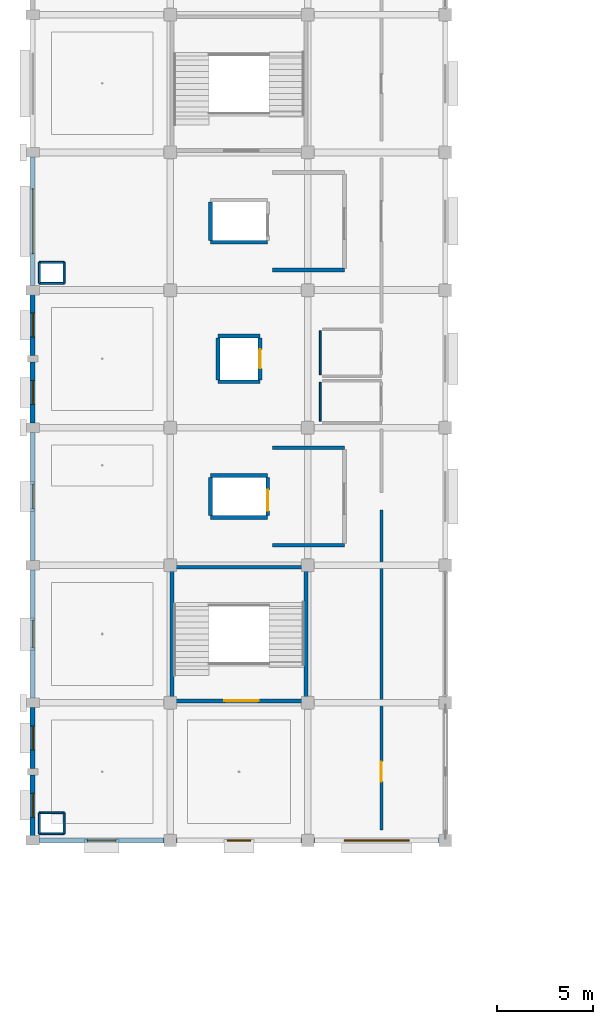
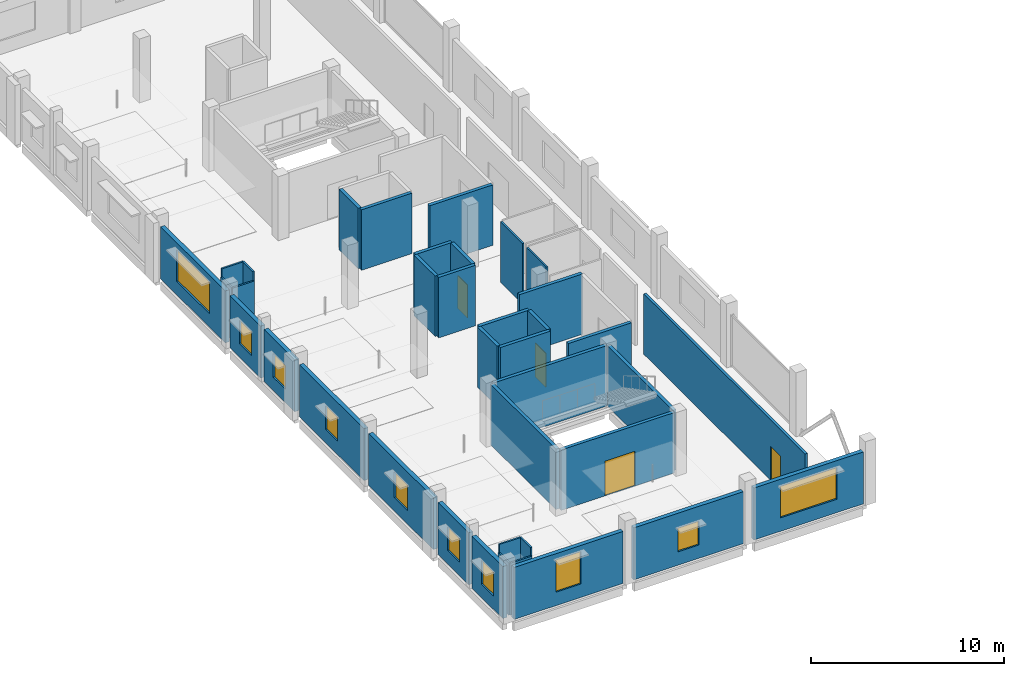
# One storey, part 39 of 59: 38 walls, 10 windows, 4 doors, 14 openings.
"""IFC4 building model written with IfcOpenShell, lengths in metres."""

from ifc_helpers import new_model, si_unit, direction, frame, frame_2d, origin, place, context, subcontext, project, spatial, rectangle, extrude, material, layer, layer_set, type_object, element, fill, save


model = new_model("IFC4")

# Units and contexts
model_context = context("Model", 3, precision=1e-05, world=origin(), true_north=direction((0.0, 1.0)))
body_context = subcontext(model_context, "Body", "Model", "MODEL_VIEW")
ifc_project = project(units=[si_unit("LENGTHUNIT", "METRE"), si_unit("AREAUNIT", "SQUARE_METRE"), si_unit("VOLUMEUNIT", "CUBIC_METRE"), si_unit("PLANEANGLEUNIT", "RADIAN"), si_unit("MASSUNIT", "GRAM", prefix="KILO")], contexts=[model_context])

# Site, building, storey
site_placement = place(None, origin())
site = spatial("IfcSite", under=ifc_project, at=site_placement, CompositionType="ELEMENT")
building_placement = place(site_placement, origin())
building = spatial("IfcBuilding", under=site, at=building_placement, Name="Kangsadwip Square Police Headquarters", CompositionType="ELEMENT")
storey_placement = place(building_placement, frame((0.0, 0.0, 21.60009765625)))
storey = spatial("IfcBuildingStorey", under=building, at=storey_placement, Name="L05", CompositionType="ELEMENT", Elevation=21.60009765625)

# Wall, opening, door
ifc_material_1 = material(Name="Autoclaved aerated concrete blockwork masonry", Category="masonry")
ifc_layer_1 = layer(ifc_material_1, 0.14990234375)
ifc_layer_set_1 = layer_set([ifc_layer_1], Name="Autoclaved aerated concrete blockwork masonry")
wall_type_1 = type_object("IfcWallType", Name="BlockPartition150", PredefinedType="PARTITIONING", material=ifc_layer_set_1)
wall_1_placement = place(storey_placement, frame((18.25, 36.550048828125, 0.0), z_axis=(0.0, 0.0, 1.0), x_axis=(0.0, 1.0, 0.0)))
wall_1 = element("IfcWall", 1, at=wall_1_placement, inside=storey, type_object=wall_type_1, Name="Interior Wall WI-L05-0892", PredefinedType="PARTITIONING", context=body_context, shape_type="SweptSolid", body=[
    extrude(rectangle(XDim=16.75, YDim=0.14990234375, at=frame_2d((8.375, 0.0))), origin(), (0.0, 0.0, 1.0), 3.829833984375),
])
opening_1_placement = place(wall_1_placement, frame((2.530029296875, 0.0, 0.0)))
opening_1 = element("IfcOpeningElement", 2, at=opening_1_placement, cuts=wall_1, Name="Opening ID-10A", PredefinedType="OPENING", context=body_context, shape_type="SweptSolid", body=[
    extrude(rectangle(XDim=1.050048828125, YDim=2.14990234375, at=frame_2d((0.52490234375, 1.074951171875))), frame((0.0, 0.0849609375, 0.0), z_axis=(0.0, -1.0, 0.0), x_axis=(1.0, 0.0, 0.0)), (0.0, 0.0, 1.0), 0.169921875),
])
ifc_material_2 = material(Name="Solid-core seasoned teak hardwood architectural door", Category="wood")
door_type_1 = type_object("IfcDoorType", Name="OfficeDoor1050x2150", OperationType="NOTDEFINED", PredefinedType="DOOR", material=ifc_material_2)
door_1_placement = place(opening_1_placement, origin())
door_1 = element("IfcDoor", 3, at=door_1_placement, inside=storey, type_object=door_type_1, Name="Interior Door ID-L05-0246", OperationType="SINGLE_SWING_LEFT", OverallHeight=2.14990234375, OverallWidth=1.050048828125, PredefinedType="DOOR", context=body_context, shape_type="SweptSolid", body=[
    extrude(rectangle(XDim=1.050048828125, YDim=2.14990234375, at=frame_2d((0.52490234375, 1.074951171875))), frame((0.0, 0.02490234375, 0.0), z_axis=(0.0, -1.0, 0.0), x_axis=(1.0, 0.0, 0.0)), (0.0, 0.0, 1.0), 0.050048828125),
])
fill(opening_1, door_1)

# Wall, opening, window
ifc_material_3 = material(Name="Glazed architectural terracotta masonry rainscreen", Category="masonry")
ifc_layer_2 = layer(ifc_material_3, 0.25)
ifc_layer_set_2 = layer_set([ifc_layer_2], Name="Glazed architectural terracotta masonry rainscreen")
wall_type_2 = type_object("IfcWallType", Name="ChicagoTerracottaWall250", PredefinedType="SOLIDWALL", material=ifc_layer_set_2)
wall_2_placement = place(storey_placement, frame((0.344970703125, 36.0, 0.0), z_axis=(0.0, 0.0, 1.0), x_axis=(1.0, 0.0, 0.0)))
wall_2 = element("IfcWall", 4, at=wall_2_placement, inside=storey, type_object=wall_type_2, Name="Exterior Wall WE-L05-482", PredefinedType="SOLIDWALL", context=body_context, shape_type="SweptSolid", body=[
    extrude(rectangle(XDim=6.534912109375, YDim=0.25, at=frame_2d((3.267578125, 0.0))), origin(), (0.0, 0.0, 1.0), 3.294921875),
])
opening_2_placement = place(wall_2_placement, frame((2.517578125, 0.0, 0.85009765625)))
opening_2 = element("IfcOpeningElement", 5, at=opening_2_placement, cuts=wall_2, Name="Opening WN-12", PredefinedType="OPENING", context=body_context, shape_type="SweptSolid", body=[
    extrude(rectangle(XDim=1.5, YDim=2.050048828125, at=frame_2d((0.75, 1.02490234375))), frame((0.0, 0.135009765625, 0.0), z_axis=(0.0, -1.0, 0.0), x_axis=(1.0, 0.0, 0.0)), (0.0, 0.0, 1.0), 0.27001953125),
])
ifc_material_4 = material(Name="Double-glazed solar-control low-E safety glass", Category="glass")
window_type_1 = type_object("IfcWindowType", Name="DirectorateTallWin1500x2050", PartitioningType="SINGLE_PANEL", PredefinedType="WINDOW", material=ifc_material_4)
window_1_placement = place(opening_2_placement, origin())
window_1 = element("IfcWindow", 6, at=window_1_placement, inside=storey, type_object=window_type_1, Name="Window WN-L05-0332", OverallHeight=2.050048828125, OverallWidth=1.5, PartitioningType="SINGLE_PANEL", PredefinedType="WINDOW", context=body_context, shape_type="SweptSolid", body=[
    extrude(rectangle(XDim=1.5, YDim=2.050048828125, at=frame_2d((0.75, 1.02490234375))), frame((0.0, 0.030029296875, 0.0), z_axis=(0.0, -1.0, 0.0), x_axis=(1.0, 0.0, 0.0)), (0.0, 0.0, 1.0), 0.06005859375),
])
fill(opening_2, window_1)

wall_3_placement = place(storey_placement, frame((7.52001953125, 36.0, 0.0), z_axis=(0.0, 0.0, 1.0), x_axis=(1.0, 0.0, 0.0)))
wall_3 = element("IfcWall", 7, at=wall_3_placement, inside=storey, type_object=wall_type_2, Name="Exterior Wall WE-L05-483", PredefinedType="SOLIDWALL", context=body_context, shape_type="SweptSolid", body=[
    extrude(rectangle(XDim=6.56005859375, YDim=0.25, at=frame_2d((3.280029296875, 0.0))), origin(), (0.0, 0.0, 1.0), 3.294921875),
])
opening_3_placement = place(wall_3_placement, frame((2.655029296875, 0.0, 0.85009765625)))
opening_3 = element("IfcOpeningElement", 8, at=opening_3_placement, cuts=wall_3, Name="Opening WN-14", PredefinedType="OPENING", context=body_context, shape_type="SweptSolid", body=[
    extrude(rectangle(XDim=1.25, YDim=1.5, at=frame_2d((0.625, 0.75))), frame((0.0, 0.135009765625, 0.0), z_axis=(0.0, -1.0, 0.0), x_axis=(1.0, 0.0, 0.0)), (0.0, 0.0, 1.0), 0.27001953125),
])
ifc_material_5 = material(Name="Double-glazed solar-control low-E safety glass", Category="glass")
window_type_2 = type_object("IfcWindowType", Name="OfficeCasementWin1250x1500", PartitioningType="SINGLE_PANEL", PredefinedType="WINDOW", material=ifc_material_5)
window_2_placement = place(opening_3_placement, origin())
window_2 = element("IfcWindow", 9, at=window_2_placement, inside=storey, type_object=window_type_2, Name="Window WN-L05-0333", OverallHeight=1.5, OverallWidth=1.25, PartitioningType="SINGLE_PANEL", PredefinedType="WINDOW", context=body_context, shape_type="SweptSolid", body=[
    extrude(rectangle(XDim=1.25, YDim=1.5, at=frame_2d((0.625, 0.75))), frame((0.0, 0.030029296875, 0.0), z_axis=(0.0, -1.0, 0.0), x_axis=(1.0, 0.0, 0.0)), (0.0, 0.0, 1.0), 0.06005859375),
])
fill(opening_3, window_2)

wall_4_placement = place(storey_placement, frame((14.719970703125, 36.0, 0.0), z_axis=(0.0, 0.0, 1.0), x_axis=(1.0, 0.0, 0.0)))
wall_4 = element("IfcWall", 10, at=wall_4_placement, inside=storey, type_object=wall_type_2, Name="Exterior Wall WE-L05-484", PredefinedType="SOLIDWALL", context=body_context, shape_type="SweptSolid", body=[
    extrude(rectangle(XDim=6.56005859375, YDim=0.25, at=frame_2d((3.280029296875, 0.0))), origin(), (0.0, 0.0, 1.0), 3.294921875),
])
opening_4_placement = place(wall_4_placement, frame((1.580078125, 0.0, 0.85009765625)))
opening_4 = element("IfcOpeningElement", 11, at=opening_4_placement, cuts=wall_4, Name="Opening WN-02", PredefinedType="OPENING", context=body_context, shape_type="SweptSolid", body=[
    extrude(rectangle(XDim=3.39990234375, YDim=2.0, at=frame_2d((1.699951171875, 1.0))), frame((0.0, 0.135009765625, 0.0), z_axis=(0.0, -1.0, 0.0), x_axis=(1.0, 0.0, 0.0)), (0.0, 0.0, 1.0), 0.27001953125),
])
ifc_material_6 = material(Name="Double-glazed solar-control low-E safety glass", Category="glass")
window_type_3 = type_object("IfcWindowType", Name="ChicagoTripartiteWin3400x2000", PartitioningType="TRIPLE_PANEL_HORIZONTAL", PredefinedType="WINDOW", material=ifc_material_6)
window_3_placement = place(opening_4_placement, origin())
window_3 = element("IfcWindow", 12, at=window_3_placement, inside=storey, type_object=window_type_3, Name="Window WN-L05-0334", OverallHeight=2.0, OverallWidth=3.39990234375, PartitioningType="SINGLE_PANEL", PredefinedType="WINDOW", context=body_context, shape_type="SweptSolid", body=[
    extrude(rectangle(XDim=3.39990234375, YDim=2.0, at=frame_2d((1.699951171875, 1.0))), frame((0.0, 0.030029296875, 0.0), z_axis=(0.0, -1.0, 0.0), x_axis=(1.0, 0.0, 0.0)), (0.0, 0.0, 1.0), 0.06005859375),
])
fill(opening_4, window_3)

wall_5_placement = place(storey_placement, frame((0.0, 36.2451171875, 0.0), z_axis=(0.0, 0.0, 1.0), x_axis=(0.0, 1.0, 0.0)))
wall_5 = element("IfcWall", 13, at=wall_5_placement, inside=storey, type_object=wall_type_2, Name="Exterior Wall WE-L05-491", PredefinedType="SOLIDWALL", context=body_context, shape_type="SweptSolid", body=[
    extrude(rectangle(XDim=3.184814453125, YDim=0.25, at=frame_2d((1.59228515625, 0.0))), origin(), (0.0, 0.0, 1.0), 3.294921875),
])
opening_5_placement = place(wall_5_placement, frame((0.967529296875, 0.0, 0.85009765625)))
opening_5 = element("IfcOpeningElement", 14, at=opening_5_placement, cuts=wall_5, Name="Opening WN-14", PredefinedType="OPENING", context=body_context, shape_type="SweptSolid", body=[
    extrude(rectangle(XDim=1.25, YDim=1.5, at=frame_2d((0.625, 0.75))), frame((0.0, 0.135009765625, 0.0), z_axis=(0.0, -1.0, 0.0), x_axis=(1.0, 0.0, 0.0)), (0.0, 0.0, 1.0), 0.27001953125),
])
window_4_placement = place(opening_5_placement, origin())
window_4 = element("IfcWindow", 15, at=window_4_placement, inside=storey, type_object=window_type_2, Name="Window WN-L05-0341", OverallHeight=1.5, OverallWidth=1.25, PartitioningType="SINGLE_PANEL", PredefinedType="WINDOW", context=body_context, shape_type="SweptSolid", body=[
    extrude(rectangle(XDim=1.25, YDim=1.5, at=frame_2d((0.625, 0.75))), frame((0.0, 0.030029296875, 0.0), z_axis=(0.0, -1.0, 0.0), x_axis=(1.0, 0.0, 0.0)), (0.0, 0.0, 1.0), 0.06005859375),
])
fill(opening_5, window_4)

wall_6_placement = place(storey_placement, frame((0.0, 39.77001953125, 0.0), z_axis=(0.0, 0.0, 1.0), x_axis=(0.0, 1.0, 0.0)))
wall_6 = element("IfcWall", 16, at=wall_6_placement, inside=storey, type_object=wall_type_2, Name="Exterior Wall WE-L05-492", PredefinedType="SOLIDWALL", context=body_context, shape_type="SweptSolid", body=[
    extrude(rectangle(XDim=3.18505859375, YDim=0.25, at=frame_2d((1.592529296875, 0.0))), origin(), (0.0, 0.0, 1.0), 3.294921875),
])
opening_6_placement = place(wall_6_placement, frame((0.967529296875, 0.0, 0.85009765625)))
opening_6 = element("IfcOpeningElement", 17, at=opening_6_placement, cuts=wall_6, Name="Opening WN-14", PredefinedType="OPENING", context=body_context, shape_type="SweptSolid", body=[
    extrude(rectangle(XDim=1.25, YDim=1.5, at=frame_2d((0.625, 0.75))), frame((0.0, 0.135009765625, 0.0), z_axis=(0.0, -1.0, 0.0), x_axis=(1.0, 0.0, 0.0)), (0.0, 0.0, 1.0), 0.27001953125),
])
window_5_placement = place(opening_6_placement, origin())
window_5 = element("IfcWindow", 18, at=window_5_placement, inside=storey, type_object=window_type_2, Name="Window WN-L05-0342", OverallHeight=1.5, OverallWidth=1.25, PartitioningType="SINGLE_PANEL", PredefinedType="WINDOW", context=body_context, shape_type="SweptSolid", body=[
    extrude(rectangle(XDim=1.25, YDim=1.5, at=frame_2d((0.625, 0.75))), frame((0.0, 0.030029296875, 0.0), z_axis=(0.0, -1.0, 0.0), x_axis=(1.0, 0.0, 0.0)), (0.0, 0.0, 1.0), 0.06005859375),
])
fill(opening_6, window_5)

wall_7_placement = place(storey_placement, frame((0.0, 43.445068359375, 0.0), z_axis=(0.0, 0.0, 1.0), x_axis=(0.0, 1.0, 0.0)))
wall_7 = element("IfcWall", 19, at=wall_7_placement, inside=storey, type_object=wall_type_2, Name="Exterior Wall WE-L05-493", PredefinedType="SOLIDWALL", context=body_context, shape_type="SweptSolid", body=[
    extrude(rectangle(XDim=6.7099609375, YDim=0.25, at=frame_2d((3.35498046875, 0.0))), origin(), (0.0, 0.0, 1.0), 3.294921875),
])
opening_7_placement = place(wall_7_placement, frame((2.655029296875, 0.0, 0.85009765625)))
opening_7 = element("IfcOpeningElement", 20, at=opening_7_placement, cuts=wall_7, Name="Opening WN-13", PredefinedType="OPENING", context=body_context, shape_type="SweptSolid", body=[
    extrude(rectangle(XDim=1.39990234375, YDim=1.60009765625, at=frame_2d((0.699951171875, 0.800048828125))), frame((0.0, 0.135009765625, 0.0), z_axis=(0.0, -1.0, 0.0), x_axis=(1.0, 0.0, 0.0)), (0.0, 0.0, 1.0), 0.27001953125),
])
ifc_material_7 = material(Name="Double-glazed solar-control low-E safety glass", Category="glass")
window_type_4 = type_object("IfcWindowType", Name="OfficeCasementWin1400x1600", PartitioningType="SINGLE_PANEL", PredefinedType="WINDOW", material=ifc_material_7)
window_6_placement = place(opening_7_placement, origin())
window_6 = element("IfcWindow", 21, at=window_6_placement, inside=storey, type_object=window_type_4, Name="Window WN-L05-0343", OverallHeight=1.60009765625, OverallWidth=1.39990234375, PartitioningType="SINGLE_PANEL", PredefinedType="WINDOW", context=body_context, shape_type="SweptSolid", body=[
    extrude(rectangle(XDim=1.39990234375, YDim=1.60009765625, at=frame_2d((0.699951171875, 0.800048828125))), frame((0.0, 0.030029296875, 0.0), z_axis=(0.0, -1.0, 0.0), x_axis=(1.0, 0.0, 0.0)), (0.0, 0.0, 1.0), 0.06005859375),
])
fill(opening_7, window_6)

wall_8_placement = place(storey_placement, frame((0.0, 50.64501953125, 0.0), z_axis=(0.0, 0.0, 1.0), x_axis=(0.0, 1.0, 0.0)))
wall_8 = element("IfcWall", 22, at=wall_8_placement, inside=storey, type_object=wall_type_2, Name="Exterior Wall WE-L05-494", PredefinedType="SOLIDWALL", context=body_context, shape_type="SweptSolid", body=[
    extrude(rectangle(XDim=6.7099609375, YDim=0.25, at=frame_2d((3.35498046875, 0.0))), origin(), (0.0, 0.0, 1.0), 3.294921875),
])
opening_8_placement = place(wall_8_placement, frame((2.72998046875, 0.0, 0.85009765625)))
opening_8 = element("IfcOpeningElement", 23, at=opening_8_placement, cuts=wall_8, Name="Opening WN-14", PredefinedType="OPENING", context=body_context, shape_type="SweptSolid", body=[
    extrude(rectangle(XDim=1.25, YDim=1.5, at=frame_2d((0.625, 0.75))), frame((0.0, 0.135009765625, 0.0), z_axis=(0.0, -1.0, 0.0), x_axis=(1.0, 0.0, 0.0)), (0.0, 0.0, 1.0), 0.27001953125),
])
window_7_placement = place(opening_8_placement, origin())
window_7 = element("IfcWindow", 24, at=window_7_placement, inside=storey, type_object=window_type_2, Name="Window WN-L05-0344", OverallHeight=1.5, OverallWidth=1.25, PartitioningType="SINGLE_PANEL", PredefinedType="WINDOW", context=body_context, shape_type="SweptSolid", body=[
    extrude(rectangle(XDim=1.25, YDim=1.5, at=frame_2d((0.625, 0.75))), frame((0.0, 0.030029296875, 0.0), z_axis=(0.0, -1.0, 0.0), x_axis=(1.0, 0.0, 0.0)), (0.0, 0.0, 1.0), 0.06005859375),
])
fill(opening_8, window_7)

wall_9_placement = place(storey_placement, frame((0.0, 57.844970703125, 0.0), z_axis=(0.0, 0.0, 1.0), x_axis=(0.0, 1.0, 0.0)))
wall_9 = element("IfcWall", 25, at=wall_9_placement, inside=storey, type_object=wall_type_2, Name="Exterior Wall WE-L05-495", PredefinedType="SOLIDWALL", context=body_context, shape_type="SweptSolid", body=[
    extrude(rectangle(XDim=3.18505859375, YDim=0.25, at=frame_2d((1.592529296875, 0.0))), origin(), (0.0, 0.0, 1.0), 3.294921875),
])
opening_9_placement = place(wall_9_placement, frame((0.967529296875, 0.0, 0.85009765625)))
opening_9 = element("IfcOpeningElement", 26, at=opening_9_placement, cuts=wall_9, Name="Opening WN-14", PredefinedType="OPENING", context=body_context, shape_type="SweptSolid", body=[
    extrude(rectangle(XDim=1.25, YDim=1.5, at=frame_2d((0.625, 0.75))), frame((0.0, 0.135009765625, 0.0), z_axis=(0.0, -1.0, 0.0), x_axis=(1.0, 0.0, 0.0)), (0.0, 0.0, 1.0), 0.27001953125),
])
window_8_placement = place(opening_9_placement, origin())
window_8 = element("IfcWindow", 27, at=window_8_placement, inside=storey, type_object=window_type_2, Name="Window WN-L05-0345", OverallHeight=1.5, OverallWidth=1.25, PartitioningType="SINGLE_PANEL", PredefinedType="WINDOW", context=body_context, shape_type="SweptSolid", body=[
    extrude(rectangle(XDim=1.25, YDim=1.5, at=frame_2d((0.625, 0.75))), frame((0.0, 0.030029296875, 0.0), z_axis=(0.0, -1.0, 0.0), x_axis=(1.0, 0.0, 0.0)), (0.0, 0.0, 1.0), 0.06005859375),
])
fill(opening_9, window_8)

wall_10_placement = place(storey_placement, frame((0.0, 61.3701171875, 0.0), z_axis=(0.0, 0.0, 1.0), x_axis=(0.0, 1.0, 0.0)))
wall_10 = element("IfcWall", 28, at=wall_10_placement, inside=storey, type_object=wall_type_2, Name="Exterior Wall WE-L05-496", PredefinedType="SOLIDWALL", context=body_context, shape_type="SweptSolid", body=[
    extrude(rectangle(XDim=3.184814453125, YDim=0.25, at=frame_2d((1.59228515625, 0.0))), origin(), (0.0, 0.0, 1.0), 3.294921875),
])
opening_10_placement = place(wall_10_placement, frame((0.967529296875, 0.0, 0.85009765625)))
opening_10 = element("IfcOpeningElement", 29, at=opening_10_placement, cuts=wall_10, Name="Opening WN-14", PredefinedType="OPENING", context=body_context, shape_type="SweptSolid", body=[
    extrude(rectangle(XDim=1.25, YDim=1.5, at=frame_2d((0.625, 0.75))), frame((0.0, 0.135009765625, 0.0), z_axis=(0.0, -1.0, 0.0), x_axis=(1.0, 0.0, 0.0)), (0.0, 0.0, 1.0), 0.27001953125),
])
window_9_placement = place(opening_10_placement, origin())
window_9 = element("IfcWindow", 30, at=window_9_placement, inside=storey, type_object=window_type_2, Name="Window WN-L05-0346", OverallHeight=1.5, OverallWidth=1.25, PartitioningType="SINGLE_PANEL", PredefinedType="WINDOW", context=body_context, shape_type="SweptSolid", body=[
    extrude(rectangle(XDim=1.25, YDim=1.5, at=frame_2d((0.625, 0.75))), frame((0.0, 0.030029296875, 0.0), z_axis=(0.0, -1.0, 0.0), x_axis=(1.0, 0.0, 0.0)), (0.0, 0.0, 1.0), 0.06005859375),
])
fill(opening_10, window_9)

wall_11_placement = place(storey_placement, frame((0.0, 65.044921875, 0.0), z_axis=(0.0, 0.0, 1.0), x_axis=(0.0, 1.0, 0.0)))
wall_11 = element("IfcWall", 31, at=wall_11_placement, inside=storey, type_object=wall_type_2, Name="Exterior Wall WE-L05-497", PredefinedType="SOLIDWALL", context=body_context, shape_type="SweptSolid", body=[
    extrude(rectangle(XDim=6.7099609375, YDim=0.25, at=frame_2d((3.35498046875, 0.0))), origin(), (0.0, 0.0, 1.0), 3.294921875),
])
opening_11_placement = place(wall_11_placement, frame((1.655029296875, 0.0, 0.85009765625)))
opening_11 = element("IfcOpeningElement", 32, at=opening_11_placement, cuts=wall_11, Name="Opening WN-02", PredefinedType="OPENING", context=body_context, shape_type="SweptSolid", body=[
    extrude(rectangle(XDim=3.39990234375, YDim=2.0, at=frame_2d((1.699951171875, 1.0))), frame((0.0, 0.135009765625, 0.0), z_axis=(0.0, -1.0, 0.0), x_axis=(1.0, 0.0, 0.0)), (0.0, 0.0, 1.0), 0.27001953125),
])
window_10_placement = place(opening_11_placement, origin())
window_10 = element("IfcWindow", 33, at=window_10_placement, inside=storey, type_object=window_type_3, Name="Window WN-L05-0347", OverallHeight=2.0, OverallWidth=3.39990234375, PartitioningType="SINGLE_PANEL", PredefinedType="WINDOW", context=body_context, shape_type="SweptSolid", body=[
    extrude(rectangle(XDim=3.39990234375, YDim=2.0, at=frame_2d((1.699951171875, 1.0))), frame((0.0, 0.030029296875, 0.0), z_axis=(0.0, -1.0, 0.0), x_axis=(1.0, 0.0, 0.0)), (0.0, 0.0, 1.0), 0.06005859375),
])
fill(opening_11, window_10)

# Wall, opening, door
ifc_material_8 = material(Name="Concrete M40 (40 MPa)", Category="concrete")
ifc_layer_3 = layer(ifc_material_8, 0.199951171875)
ifc_layer_set_3 = layer_set([ifc_layer_3], Name="Concrete M40 (40 MPa)")
wall_type_3 = type_object("IfcWallType", Name="CoreShearWall200", PredefinedType="SHEAR", material=ifc_layer_set_3)
wall_12_placement = place(storey_placement, frame((7.39990234375, 43.300048828125, 0.0), z_axis=(0.0, 0.0, 1.0), x_axis=(1.0, 0.0, 0.0)))
wall_12 = element("IfcWall", 34, at=wall_12_placement, inside=storey, type_object=wall_type_3, Name="Interior Wall WI-L05-0033", PredefinedType="SHEAR", context=body_context, shape_type="SweptSolid", body=[
    extrude(rectangle(XDim=6.800048828125, YDim=0.199951171875, at=frame_2d((3.39990234375, 0.0))), origin(), (0.0, 0.0, 1.0), 3.829833984375),
])
opening_12_placement = place(wall_12_placement, frame((2.632080078125, 0.0, 0.0)))
opening_12 = element("IfcOpeningElement", 35, at=opening_12_placement, cuts=wall_12, Name="Opening FD-18", PredefinedType="OPENING", context=body_context, shape_type="SweptSolid", body=[
    extrude(rectangle(XDim=1.800048828125, YDim=2.199951171875, at=frame_2d((0.89990234375, 1.10009765625))), frame((0.0, 0.10986328125, 0.0), z_axis=(0.0, -1.0, 0.0), x_axis=(1.0, 0.0, 0.0)), (0.0, 0.0, 1.0), 0.219970703125),
])
ifc_material_9 = material(Name="Insulated galvanized steel fire-rated door assembly", Category="steel")
door_type_2 = type_object("IfcDoorType", Name="StairFireDoor1800x2200", OperationType="DOUBLE_DOOR_SINGLE_SWING", PredefinedType="DOOR", material=ifc_material_9)
door_2_placement = place(opening_12_placement, origin())
door_2 = element("IfcDoor", 36, at=door_2_placement, inside=storey, type_object=door_type_2, Name="Interior Door ID-L05-0007", OperationType="DOUBLE_DOOR_SINGLE_SWING", OverallHeight=2.199951171875, OverallWidth=1.800048828125, PredefinedType="DOOR", context=body_context, shape_type="SweptSolid", body=[
    extrude(rectangle(XDim=1.800048828125, YDim=2.199951171875, at=frame_2d((0.89990234375, 1.10009765625))), frame((0.0, 0.02490234375, 0.0), z_axis=(0.0, -1.0, 0.0), x_axis=(1.0, 0.0, 0.0)), (0.0, 0.0, 1.0), 0.050048828125),
])
fill(opening_12, door_2)

# Walls
for number, where, z_axis, x_axis, name in (
    (37, (7.39990234375, 50.300048828125, 0.0), (0.0, 0.0, 1.0), (1.0, 0.0, 0.0), "Interior Wall WI-L05-0034"),
    (38, (7.300048828125, 43.39990234375, 0.0), (0.0, 0.0, 1.0), (0.0, 1.0, 0.0), "Interior Wall WI-L05-0035"),
    (39, (14.300048828125, 43.39990234375, 0.0), (0.0, 0.0, 1.0), (0.0, 1.0, 0.0), "Interior Wall WI-L05-0036"),
):
    element("IfcWall", number, at=place(storey_placement, frame(where, z_axis=z_axis, x_axis=x_axis)), inside=storey, type_object=wall_type_3, Name=name, PredefinedType="SHEAR", context=body_context, shape_type="SweptSolid", body=[
        extrude(rectangle(XDim=6.800048828125, YDim=0.199951171875, at=frame_2d((3.39990234375, 0.0))), origin(), (0.0, 0.0, 1.0), 3.829833984375),
    ])
for number, where, z_axis, x_axis, name in (
    (40, (9.300048828125, 52.89990234375, 0.0), (0.0, 0.0, 1.0), (1.0, 0.0, 0.0), "Interior Wall WI-L05-0255"),
    (41, (9.300048828125, 55.10009765625, 0.0), (0.0, 0.0, 1.0), (1.0, 0.0, 0.0), "Interior Wall WI-L05-0256"),
):
    element("IfcWall", number, at=place(storey_placement, frame(where, z_axis=z_axis, x_axis=x_axis)), inside=storey, type_object=wall_type_3, Name=name, PredefinedType="SHEAR", context=body_context, shape_type="SweptSolid", body=[
        extrude(rectangle(XDim=3.0, YDim=0.199951171875, at=frame_2d((1.5, 0.0))), origin(), (0.0, 0.0, 1.0), 3.829833984375),
    ])
wall_13_placement = place(storey_placement, frame((9.300048828125, 53.0, 0.0), z_axis=(0.0, 0.0, 1.0), x_axis=(0.0, 1.0, 0.0)))
element("IfcWall", 42, at=wall_13_placement, inside=storey, type_object=wall_type_3, Name="Interior Wall WI-L05-0257", PredefinedType="SHEAR", context=body_context, shape_type="SweptSolid", body=[
    extrude(rectangle(XDim=2.0, YDim=0.199951171875, at=frame_2d((1.0, 0.0))), origin(), (0.0, 0.0, 1.0), 3.829833984375),
])

# Wall, opening, door
wall_14_placement = place(storey_placement, frame((12.300048828125, 53.0, 0.0), z_axis=(0.0, 0.0, 1.0), x_axis=(0.0, 1.0, 0.0)))
wall_14 = element("IfcWall", 43, at=wall_14_placement, inside=storey, type_object=wall_type_3, Name="Interior Wall WI-L05-0258", PredefinedType="SHEAR", context=body_context, shape_type="SweptSolid", body=[
    extrude(rectangle(XDim=2.0, YDim=0.199951171875, at=frame_2d((1.0, 0.0))), origin(), (0.0, 0.0, 1.0), 3.829833984375),
])
opening_13_placement = place(wall_14_placement, frame((0.25, 0.0, 0.0)))
opening_13 = element("IfcOpeningElement", 44, at=opening_13_placement, cuts=wall_14, Name="Opening LD-007", PredefinedType="OPENING", context=body_context, shape_type="SweptSolid", body=[
    extrude(rectangle(XDim=1.10009765625, YDim=2.14990234375, at=frame_2d((0.550048828125, 1.074951171875))), frame((0.0, 0.10986328125, 0.0), z_axis=(0.0, -1.0, 0.0), x_axis=(1.0, 0.0, 0.0)), (0.0, 0.0, 1.0), 0.219970703125),
])
ifc_material_10 = material(Name="Brushed stainless steel automatic sliding lift landing door", Category="steel")
door_type_3 = type_object("IfcDoorType", Name="LiftLandingDoor1100x2150", OperationType="DOUBLE_DOOR_SLIDING", PredefinedType="DOOR", material=ifc_material_10)
door_3_placement = place(opening_13_placement, origin())
door_3 = element("IfcDoor", 45, at=door_3_placement, inside=storey, type_object=door_type_3, Name="Interior Door LD-007", OperationType="DOUBLE_DOOR_SLIDING", OverallHeight=2.14990234375, OverallWidth=1.10009765625, PredefinedType="DOOR", context=body_context, shape_type="SweptSolid", body=[
    extrude(rectangle(XDim=1.10009765625, YDim=2.14990234375, at=frame_2d((0.550048828125, 1.074951171875))), frame((0.0, 0.02490234375, 0.0), z_axis=(0.0, -1.0, 0.0), x_axis=(1.0, 0.0, 0.0)), (0.0, 0.0, 1.0), 0.050048828125),
])
fill(opening_13, door_3)

# Walls
wall_15_placement = place(storey_placement, frame((9.300048828125, 67.300048828125, 0.0), z_axis=(0.0, 0.0, 1.0), x_axis=(1.0, 0.0, 0.0)))
element("IfcWall", 46, at=wall_15_placement, inside=storey, type_object=wall_type_3, Name="Interior Wall WI-L05-0295", PredefinedType="SHEAR", context=body_context, shape_type="SweptSolid", body=[
    extrude(rectangle(XDim=3.0, YDim=0.199951171875, at=frame_2d((1.5, 0.0))), origin(), (0.0, 0.0, 1.0), 3.829833984375),
])
wall_16_placement = place(storey_placement, frame((9.300048828125, 67.39990234375, 0.0), z_axis=(0.0, 0.0, 1.0), x_axis=(0.0, 1.0, 0.0)))
element("IfcWall", 47, at=wall_16_placement, inside=storey, type_object=wall_type_3, Name="Interior Wall WI-L05-0297", PredefinedType="SHEAR", context=body_context, shape_type="SweptSolid", body=[
    extrude(rectangle(XDim=2.0, YDim=0.199951171875, at=frame_2d((1.0, 0.0))), origin(), (0.0, 0.0, 1.0), 3.829833984375),
])
for number, where, z_axis, x_axis, name in (
    (48, (9.699951171875, 60.0, 0.0), (0.0, 0.0, 1.0), (1.0, 0.0, 0.0), "Interior Wall WI-L05-0371"),
    (49, (9.699951171875, 62.39990234375, 0.0), (0.0, 0.0, 1.0), (1.0, 0.0, 0.0), "Interior Wall WI-L05-0372"),
    (50, (9.699951171875, 60.10009765625, 0.0), (0.0, 0.0, 1.0), (0.0, 1.0, 0.0), "Interior Wall WI-L05-0373"),
):
    element("IfcWall", number, at=place(storey_placement, frame(where, z_axis=z_axis, x_axis=x_axis)), inside=storey, type_object=wall_type_3, Name=name, PredefinedType="SHEAR", context=body_context, shape_type="SweptSolid", body=[
        extrude(rectangle(XDim=2.199951171875, YDim=0.199951171875, at=frame_2d((1.10009765625, 0.0))), origin(), (0.0, 0.0, 1.0), 3.829833984375),
    ])

# Wall, opening, door
wall_17_placement = place(storey_placement, frame((11.89990234375, 60.10009765625, 0.0), z_axis=(0.0, 0.0, 1.0), x_axis=(0.0, 1.0, 0.0)))
wall_17 = element("IfcWall", 51, at=wall_17_placement, inside=storey, type_object=wall_type_3, Name="Interior Wall WI-L05-0374", PredefinedType="SHEAR", context=body_context, shape_type="SweptSolid", body=[
    extrude(rectangle(XDim=2.199951171875, YDim=0.199951171875, at=frame_2d((1.10009765625, 0.0))), origin(), (0.0, 0.0, 1.0), 3.829833984375),
])
opening_14_placement = place(wall_17_placement, frame((0.60009765625, 0.0, 0.0)))
opening_14 = element("IfcOpeningElement", 52, at=opening_14_placement, cuts=wall_17, Name="Opening LD-033", PredefinedType="OPENING", context=body_context, shape_type="SweptSolid", body=[
    extrude(rectangle(XDim=1.0, YDim=2.10009765625, at=frame_2d((0.5, 1.050048828125))), frame((0.0, 0.10986328125, 0.0), z_axis=(0.0, -1.0, 0.0), x_axis=(1.0, 0.0, 0.0)), (0.0, 0.0, 1.0), 0.219970703125),
])
ifc_material_11 = material(Name="Brushed stainless steel automatic sliding lift landing door", Category="steel")
door_type_4 = type_object("IfcDoorType", Name="LiftLandingDoor1000x2100", OperationType="DOUBLE_DOOR_SLIDING", PredefinedType="DOOR", material=ifc_material_11)
door_4_placement = place(opening_14_placement, origin())
door_4 = element("IfcDoor", 53, at=door_4_placement, inside=storey, type_object=door_type_4, Name="Interior Door LD-033", OperationType="DOUBLE_DOOR_SLIDING", OverallHeight=2.10009765625, OverallWidth=1.0, PredefinedType="DOOR", context=body_context, shape_type="SweptSolid", body=[
    extrude(rectangle(XDim=1.0, YDim=2.10009765625, at=frame_2d((0.5, 1.050048828125))), frame((0.0, 0.02490234375, 0.0), z_axis=(0.0, -1.0, 0.0), x_axis=(1.0, 0.0, 0.0)), (0.0, 0.0, 1.0), 0.050048828125),
])
fill(opening_14, door_4)

# Walls
ifc_material_12 = material(Name="Concrete M40 (40 MPa)", Category="concrete")
ifc_layer_4 = layer(ifc_material_12, 0.199951171875)
ifc_layer_set_4 = layer_set([ifc_layer_4], Name="Concrete M40 (40 MPa)")
wall_type_4 = type_object("IfcWallType", Name="CustodySecurityWall200", PredefinedType="SOLIDWALL", material=ifc_layer_set_4)
for number, where, z_axis, x_axis, name in (
    (54, (12.5400390625, 51.449951171875, 0.0), (0.0, 0.0, 1.0), (1.0, 0.0, 0.0), "Interior Wall WI-L05-0871"),
    (55, (12.5400390625, 56.550048828125, 0.0), (0.0, 0.0, 1.0), (1.0, 0.0, 0.0), "Interior Wall WI-L05-0872"),
    (56, (12.5400390625, 65.85009765625, 0.0), (0.0, 0.0, 1.0), (1.0, 0.0, 0.0), "Interior Wall WI-L05-0874"),
):
    element("IfcWall", number, at=place(storey_placement, frame(where, z_axis=z_axis, x_axis=x_axis)), inside=storey, type_object=wall_type_4, Name=name, PredefinedType="SOLIDWALL", context=body_context, shape_type="SweptSolid", body=[
        extrude(rectangle(XDim=3.780029296875, YDim=0.199951171875, at=frame_2d((1.89013671875, 0.0))), origin(), (0.0, 0.0, 1.0), 3.829833984375),
    ])
ifc_material_13 = material(Name="Autoclaved aerated concrete blockwork masonry", Category="masonry")
ifc_layer_5 = layer(ifc_material_13, 0.10009765625)
ifc_layer_set_5 = layer_set([ifc_layer_5], Name="Autoclaved aerated concrete blockwork masonry")
wall_type_5 = type_object("IfcWallType", Name="WetWallPartition100", PredefinedType="PARTITIONING", material=ifc_layer_set_5)
wall_18_placement = place(storey_placement, frame((0.35009765625, 36.35009765625, 0.0), z_axis=(0.0, 0.0, 1.0), x_axis=(1.0, 0.0, 0.0)))
element("IfcWall", 57, at=wall_18_placement, inside=storey, type_object=wall_type_5, Name="Interior Wall WI-L05-0535", PredefinedType="PARTITIONING", context=body_context, shape_type="SweptSolid", body=[
    extrude(rectangle(XDim=1.2998046875, YDim=0.10009765625, at=frame_2d((0.64990234375, 0.0))), origin(), (0.0, 0.0, 1.0), 3.2998046875),
])
wall_19_placement = place(storey_placement, frame((0.35009765625, 37.449951171875, 0.0), z_axis=(0.0, 0.0, 1.0), x_axis=(1.0, 0.0, 0.0)))
element("IfcWall", 58, at=wall_19_placement, inside=storey, type_object=wall_type_5, Name="Interior Wall WI-L05-0536", PredefinedType="PARTITIONING", context=body_context, shape_type="SweptSolid", body=[
    extrude(rectangle(XDim=1.2998046875, YDim=0.10009765625, at=frame_2d((0.64990234375, 0.0))), origin(), (0.0, 0.0, 1.0), 3.829833984375),
])
wall_20_placement = place(storey_placement, frame((0.35009765625, 36.35009765625, 0.0), z_axis=(0.0, 0.0, 1.0), x_axis=(0.0, 1.0, 0.0)))
element("IfcWall", 59, at=wall_20_placement, inside=storey, type_object=wall_type_5, Name="Interior Wall WI-L05-0537", PredefinedType="PARTITIONING", context=body_context, shape_type="SweptSolid", body=[
    extrude(rectangle(XDim=1.099853515625, YDim=0.10009765625, at=frame_2d((0.5498046875, 0.0))), origin(), (0.0, 0.0, 1.0), 3.2998046875),
])
wall_21_placement = place(storey_placement, frame((1.64990234375, 36.35009765625, 0.0), z_axis=(0.0, 0.0, 1.0), x_axis=(0.0, 1.0, 0.0)))
element("IfcWall", 60, at=wall_21_placement, inside=storey, type_object=wall_type_5, Name="Interior Wall WI-L05-0538", PredefinedType="PARTITIONING", context=body_context, shape_type="SweptSolid", body=[
    extrude(rectangle(XDim=1.099853515625, YDim=0.10009765625, at=frame_2d((0.5498046875, 0.0))), origin(), (0.0, 0.0, 1.0), 3.829833984375),
])
wall_22_placement = place(storey_placement, frame((0.35009765625, 65.14990234375, 0.0), z_axis=(0.0, 0.0, 1.0), x_axis=(1.0, 0.0, 0.0)))
element("IfcWall", 61, at=wall_22_placement, inside=storey, type_object=wall_type_5, Name="Interior Wall WI-L05-0567", PredefinedType="PARTITIONING", context=body_context, shape_type="SweptSolid", body=[
    extrude(rectangle(XDim=1.2998046875, YDim=0.10009765625, at=frame_2d((0.64990234375, 0.0))), origin(), (0.0, 0.0, 1.0), 3.27001953125),
])
wall_23_placement = place(storey_placement, frame((0.35009765625, 66.25, 0.0), z_axis=(0.0, 0.0, 1.0), x_axis=(1.0, 0.0, 0.0)))
element("IfcWall", 62, at=wall_23_placement, inside=storey, type_object=wall_type_5, Name="Interior Wall WI-L05-0568", PredefinedType="PARTITIONING", context=body_context, shape_type="SweptSolid", body=[
    extrude(rectangle(XDim=1.2998046875, YDim=0.10009765625, at=frame_2d((0.64990234375, 0.0))), origin(), (0.0, 0.0, 1.0), 3.829833984375),
])
wall_24_placement = place(storey_placement, frame((0.35009765625, 65.14990234375, 0.0), z_axis=(0.0, 0.0, 1.0), x_axis=(0.0, 1.0, 0.0)))
element("IfcWall", 63, at=wall_24_placement, inside=storey, type_object=wall_type_5, Name="Interior Wall WI-L05-0569", PredefinedType="PARTITIONING", context=body_context, shape_type="SweptSolid", body=[
    extrude(rectangle(XDim=1.10009765625, YDim=0.10009765625, at=frame_2d((0.550048828125, 0.0))), origin(), (0.0, 0.0, 1.0), 3.2998046875),
])
wall_25_placement = place(storey_placement, frame((1.64990234375, 65.14990234375, 0.0), z_axis=(0.0, 0.0, 1.0), x_axis=(0.0, 1.0, 0.0)))
element("IfcWall", 64, at=wall_25_placement, inside=storey, type_object=wall_type_5, Name="Interior Wall WI-L05-0570", PredefinedType="PARTITIONING", context=body_context, shape_type="SweptSolid", body=[
    extrude(rectangle(XDim=1.10009765625, YDim=0.10009765625, at=frame_2d((0.550048828125, 0.0))), origin(), (0.0, 0.0, 1.0), 3.829833984375),
])
wall_26_placement = place(storey_placement, frame((15.050048828125, 57.929931640625, 0.0), z_axis=(0.0, 0.0, 1.0), x_axis=(0.0, 1.0, 0.0)))
element("IfcWall", 65, at=wall_26_placement, inside=storey, type_object=wall_type_5, Name="Interior Wall WI-L05-0882", PredefinedType="PARTITIONING", context=body_context, shape_type="SweptSolid", body=[
    extrude(rectangle(XDim=2.0400390625, YDim=0.10009765625, at=frame_2d((1.02001953125, 0.0))), origin(), (0.0, 0.0, 1.0), 3.829833984375),
])
wall_27_placement = place(storey_placement, frame((15.050048828125, 60.3798828125, 0.0), z_axis=(0.0, 0.0, 1.0), x_axis=(0.0, 1.0, 0.0)))
element("IfcWall", 66, at=wall_27_placement, inside=storey, type_object=wall_type_5, Name="Interior Wall WI-L05-0886", PredefinedType="PARTITIONING", context=body_context, shape_type="SweptSolid", body=[
    extrude(rectangle(XDim=2.2900390625, YDim=0.10009765625, at=frame_2d((1.14501953125, 0.0))), origin(), (0.0, 0.0, 1.0), 3.829833984375),
])

save(model, "model.ifc")
